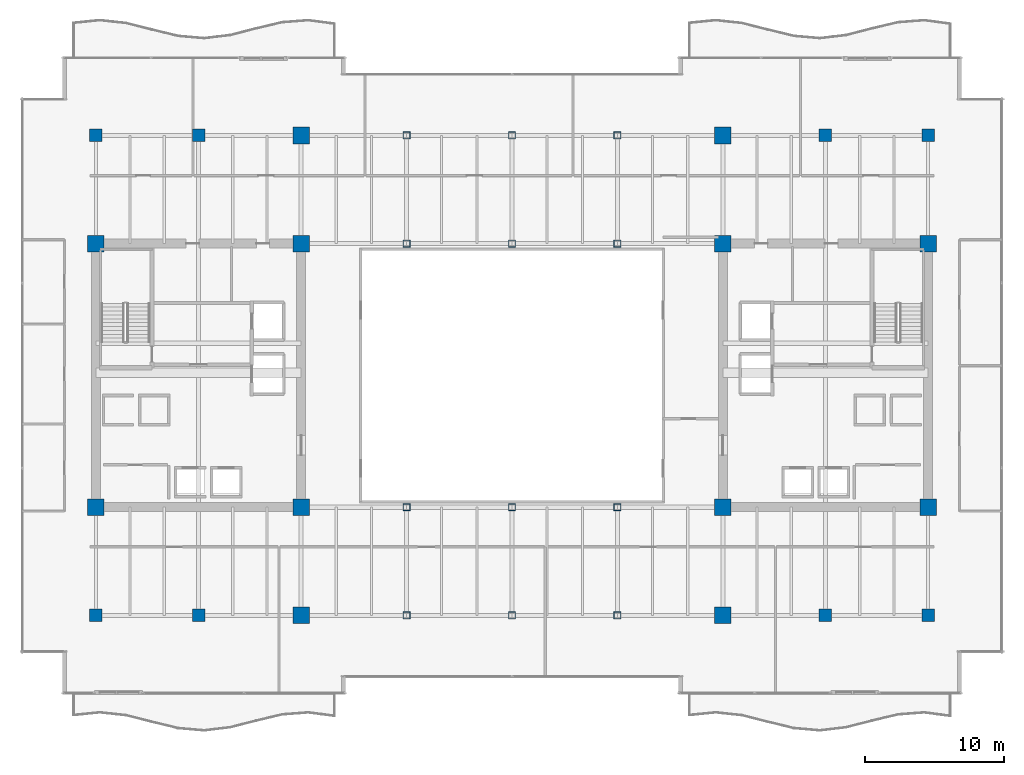
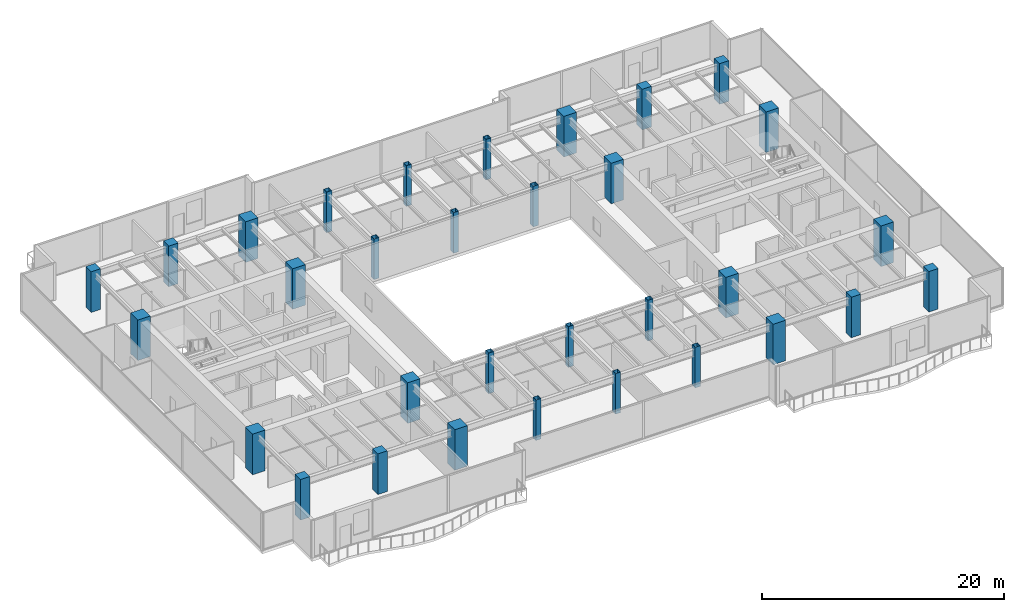
# One storey, part 1 of 30: 32 columns.
"""IFC4 building model written with IfcOpenShell, lengths in metres."""

import ifcopenshell
import ifcopenshell.guid

model = None  # the IFC model being written
_history = None  # IfcOwnerHistory: only IFC2X3 demands one
_inside = {}  # id of a spatial element -> (the spatial element, [elements in it])
_under = {}  # id of a project, library or spatial element -> (it, [spatial elements below it])
_declared = {}  # id of a project -> (the project, [libraries it declares])
_typed = {}  # id of a type object -> (the type object, [elements of that type])
_made_of = {}  # id of a material, layer set ... -> (it, [elements and type objects made of it])


def new_model(schema):
    """Start an empty IFC model of exactly this schema.

    Asked for "IFC4X3", IfcOpenShell would pick the latest addendum, in which some entities
    have other attributes; the version numbers below select the first issue.
    IFC2X3 requires an IfcOwnerHistory on every rooted entity: one is made here for all.
    """
    global model, _history
    if schema == "IFC4X3":
        model = ifcopenshell.file(schema_version=(4, 3, 0, 0))
    else:
        model = ifcopenshell.file(schema=schema)
    _inside.clear()
    _under.clear()
    _declared.clear()
    _typed.clear()
    _made_of.clear()
    _history = None
    if model.schema == "IFC2X3":
        org = make("IfcOrganization", Name="unknown")
        user = make(
            "IfcPersonAndOrganization",
            ThePerson=make("IfcPerson", FamilyName="unknown"),
            TheOrganization=org,
        )
        app = make(
            "IfcApplication",
            ApplicationDeveloper=org,
            Version="unknown",
            ApplicationFullName="unknown",
            ApplicationIdentifier="unknown",
        )
        _history = make(
            "IfcOwnerHistory",
            OwningUser=user,
            OwningApplication=app,
            ChangeAction="ADDED",
            CreationDate=0,
        )
    return model


def make(cls, **values):
    """One entity of the class cls with the attributes given. An attribute that is None is left unset."""
    return model.create_entity(
        cls, **{name: value for name, value in values.items() if value is not None}
    )


def rooted(cls, **values):
    """An entity with a GlobalId (a new one), such as an element, a storey or a relation."""
    return make(cls, GlobalId=ifcopenshell.guid.new(), OwnerHistory=_history, **values)


def si_unit(unit_type, name, prefix=None):
    """IfcSIUnit, for example si_unit("LENGTHUNIT", "METRE", prefix="MILLI")."""
    return make("IfcSIUnit", UnitType=unit_type, Prefix=prefix, Name=name)


def assignment(units):
    """IfcUnitAssignment: the units of a project."""
    return None if units is None else make("IfcUnitAssignment", Units=units)


def point(xyz):
    """IfcCartesianPoint."""
    return None if xyz is None else make("IfcCartesianPoint", Coordinates=xyz)


def direction(xyz):
    """IfcDirection."""
    return None if xyz is None else make("IfcDirection", DirectionRatios=xyz)


def frame(location, z_axis=None, x_axis=None):
    """IfcAxis2Placement3D, a coordinate frame: its origin and axes. An axis left out is left unset."""
    return make(
        "IfcAxis2Placement3D",
        Location=point(location),
        Axis=direction(z_axis),
        RefDirection=direction(x_axis),
    )


def frame_2d(location, x_axis=None):
    """IfcAxis2Placement2D, a coordinate frame in the plane: its origin and x axis."""
    return make(
        "IfcAxis2Placement2D", Location=point(location), RefDirection=direction(x_axis)
    )


def origin():
    """The frame at (0, 0, 0) with its axes left unset."""
    return frame((0.0, 0.0, 0.0))


def origin_2d():
    """The frame at (0, 0) in the plane with its x axis left unset."""
    return frame_2d((0.0, 0.0))


def place(relative_to, where):
    """IfcLocalPlacement: puts the frame where relative to a parent placement (None: the world)."""
    return make(
        "IfcLocalPlacement", PlacementRelTo=relative_to, RelativePlacement=where
    )


def context(
    kind, dimensions, precision=None, world=None, true_north=None, identifier=None
):
    """IfcGeometricRepresentationContext, for example the 3D "Model" context."""
    return make(
        "IfcGeometricRepresentationContext",
        ContextIdentifier=identifier,
        ContextType=kind,
        CoordinateSpaceDimension=dimensions,
        Precision=precision,
        WorldCoordinateSystem=world,
        TrueNorth=true_north,
    )


def subcontext(parent, identifier, kind, view, scale=None):
    """IfcGeometricRepresentationSubContext, for example "Body" below "Model"."""
    return make(
        "IfcGeometricRepresentationSubContext",
        ContextIdentifier=identifier,
        ContextType=kind,
        ParentContext=parent,
        TargetScale=scale,
        TargetView=view,
    )


def project(units=None, contexts=None):
    """IfcProject with its units and contexts."""
    return rooted(
        "IfcProject",
        Name="project",
        RepresentationContexts=contexts,
        UnitsInContext=assignment(units),
    )


def spatial(cls, under=None, at=None, **own):
    """A site, building, storey or space (cls), placed at a placement, below another one or the project."""
    s = rooted(cls, ObjectPlacement=at, **own)
    if under is not None:
        _under.setdefault(under.id(), (under, []))[1].append(s)
    return s


def profile(cls, at=None, kind="AREA", **sizes):
    """A parametric profile (cls). Its sizes go by their IFC names, for example OverallWidth=200.0."""
    return make(cls, ProfileType=kind, Position=at, **sizes)


def rectangle(**sizes):
    """IfcRectangleProfileDef."""
    return profile("IfcRectangleProfileDef", **sizes)


def hollow_rectangle(**sizes):
    """IfcRectangleHollowProfileDef."""
    return profile("IfcRectangleHollowProfileDef", **sizes)


def extrude(swept, where, along, depth):
    """IfcExtrudedAreaSolid: the profile swept, set in the frame where, extruded along a direction by depth."""
    return make(
        "IfcExtrudedAreaSolid",
        SweptArea=swept,
        Position=where,
        ExtrudedDirection=direction(along),
        Depth=depth,
    )


def shape(context_of_items, identifier, shape_type, items):
    """IfcShapeRepresentation: the items that make up one representation, for example the "Body"."""
    return make(
        "IfcShapeRepresentation",
        ContextOfItems=context_of_items,
        RepresentationIdentifier=identifier,
        RepresentationType=shape_type,
        Items=items,
    )


def source(mapping_origin, context_of_items, identifier, shape_type, items):
    """IfcRepresentationMap: a shape defined once, which mapped items show again and again."""
    return make(
        "IfcRepresentationMap",
        MappingOrigin=mapping_origin,
        MappedRepresentation=shape(context_of_items, identifier, shape_type, items),
    )


def transform(
    local_origin,
    x_axis=None,
    y_axis=None,
    z_axis=None,
    scale=None,
    scale2=None,
    scale3=None,
    uniform=True,
):
    """IfcCartesianTransformationOperator3D, or its non-uniform kind. x_axis, y_axis, z_axis: its Axis1, 2, 3."""
    if uniform:
        return make(
            "IfcCartesianTransformationOperator3D",
            Axis1=direction(x_axis),
            Axis2=direction(y_axis),
            LocalOrigin=point(local_origin),
            Scale=scale,
            Axis3=direction(z_axis),
        )
    return make(
        "IfcCartesianTransformationOperator3DnonUniform",
        Axis1=direction(x_axis),
        Axis2=direction(y_axis),
        LocalOrigin=point(local_origin),
        Scale=scale,
        Axis3=direction(z_axis),
        Scale2=scale2,
        Scale3=scale3,
    )


def mapped(mapping_source, mapping_target):
    """IfcMappedItem: shows the shape of a source again, moved by a transform."""
    return make(
        "IfcMappedItem", MappingSource=mapping_source, MappingTarget=mapping_target
    )


def material(Name=None, Category=None):
    """IfcMaterial."""
    return make("IfcMaterial", Name=Name, Category=Category)


def material_profile(
    of_material, cross_section, Name=None, Category=None, Priority=None
):
    """IfcMaterialProfile: a cross section and its material."""
    return make(
        "IfcMaterialProfile",
        Name=Name,
        Material=of_material,
        Profile=cross_section,
        Priority=Priority,
        Category=Category,
    )


def profile_set(profiles, Name=None, composite=None):
    """IfcMaterialProfileSet."""
    return make(
        "IfcMaterialProfileSet",
        Name=Name,
        MaterialProfiles=profiles,
        CompositeProfile=composite,
    )


def made_of(thing, what):
    """Note that an element or type object is made of a material, layer set ...; save() writes the relation."""
    if what is not None:
        _made_of.setdefault(what.id(), (what, []))[1].append(thing)
    return thing


def type_object(cls, material=None, **own):
    """A type object (cls), such as IfcWallType, which elements share."""
    return made_of(rooted(cls, **own), material)


def type_shapes(of_type, sources):
    """Give a type object the sources (RepresentationMaps) that its elements show as mapped items."""
    of_type.RepresentationMaps = sources


def element(
    cls,
    number,
    at=None,
    inside=None,
    cuts=None,
    type_object=None,
    material=None,
    context=None,
    identifier="Body",
    shape_type=None,
    held_by="IfcProductDefinitionShape",
    body=None,
    shapes=None,
    **own,
):
    """One element of the class cls, such as IfcWall. Its Tag is "e" and its number.

    at: its placement. inside: the storey or other place that contains it. cuts: it is an
    opening in that element (IfcRelVoidsElement). A single representation is given by context,
    identifier, shape_type and body (its items); several are given by shapes. held_by: the class
    of the entity that holds the representations. save() writes the other relations.
    """
    e = rooted(cls, Tag="e%d" % number, ObjectPlacement=at, **own)
    if body is not None:
        shapes = [shape(context, identifier, shape_type, body)]
    if shapes is not None:
        e.Representation = make(held_by, Representations=shapes)
    if inside is not None:
        _inside.setdefault(inside.id(), (inside, []))[1].append(e)
    if cuts is not None:
        rooted(
            "IfcRelVoidsElement", RelatingBuildingElement=cuts, RelatedOpeningElement=e
        )
    if type_object is not None:
        _typed.setdefault(type_object.id(), (type_object, []))[1].append(e)
    return made_of(e, material)


def aggregate(whole, parts):
    """IfcRelAggregates: a whole, such as a stair, and the parts it consists of."""
    return rooted("IfcRelAggregates", RelatingObject=whole, RelatedObjects=parts)


def save(model, path):
    """Write the relations noted so far, then the file.

    IfcRelAggregates (storeys below a building ...), IfcRelContainedInSpatialStructure (elements
    in a storey), IfcRelDefinesByType, IfcRelAssociatesMaterial and IfcRelDeclares: one each for
    every whole, place, type object, material and project.
    """
    for whole, parts in _under.values():
        aggregate(whole, parts)
    for where, things in _inside.values():
        rooted(
            "IfcRelContainedInSpatialStructure",
            RelatedElements=things,
            RelatingStructure=where,
        )
    for kind, things in _typed.values():
        rooted("IfcRelDefinesByType", RelatedObjects=things, RelatingType=kind)
    for what, things in _made_of.values():
        rooted("IfcRelAssociatesMaterial", RelatedObjects=things, RelatingMaterial=what)
    for by, libraries in _declared.values():
        rooted("IfcRelDeclares", RelatingContext=by, RelatedDefinitions=libraries)
    model.write(path)


model = new_model("IFC4")

# Units and contexts
model_context = context("Model", 3, precision=1e-05, world=origin(), true_north=direction((0.0, 1.0)))
body_context = subcontext(model_context, "Body", "Model", "MODEL_VIEW")
ifc_project = project(units=[si_unit("LENGTHUNIT", "METRE"), si_unit("AREAUNIT", "SQUARE_METRE"), si_unit("VOLUMEUNIT", "CUBIC_METRE"), si_unit("PLANEANGLEUNIT", "RADIAN"), si_unit("MASSUNIT", "GRAM", prefix="KILO")], contexts=[model_context])

# Site, building, storey
site_placement = place(None, origin())
site = spatial("IfcSite", under=ifc_project, at=site_placement, CompositionType="ELEMENT")
building_placement = place(site_placement, origin())
building = spatial("IfcBuilding", under=site, at=building_placement, Name="Haelvirn Gate Laboratories", CompositionType="ELEMENT")
storey_placement = place(building_placement, frame((0.0, 0.0, 113.300048828125)))
storey = spatial("IfcBuildingStorey", under=building, at=storey_placement, Name="L27", CompositionType="ELEMENT", Elevation=113.300048828125)

# Columns
ifc_material_1 = material(Name="Concrete C50/60", Category="concrete")
ifc_material_profile_1 = material_profile(ifc_material_1, rectangle(XDim=0.89990234375, YDim=0.89990234375, at=origin_2d()), Name="RC-900x900")
ifc_profile_set_1 = profile_set([ifc_material_profile_1], Name="Concrete C50/60")
column_type_1 = type_object("IfcColumnType", Name="COL-RC-900", PredefinedType="COLUMN", material=ifc_profile_set_1)
shared_shape_1 = source(origin(), body_context, "Body", "SweptSolid", [
    extrude(rectangle(XDim=0.89990234375, YDim=0.89990234375, at=origin_2d()), origin(), (0.0, 0.0, 1.0), 4.099853515625),
])
type_shapes(column_type_1, [shared_shape_1])
for number, where, z_axis, x_axis, name in (
    (1, (14.800048828125, 7.0, 0.0), (0.0, 0.0, 1.0), (1.0, 0.0, 0.0), "L27 Column 3B"),
    (2, (14.800048828125, 41.60009765625, 0.0), (0.0, 0.0, 1.0), (1.0, 0.0, 0.0), "L27 Column 3G"),
    (3, (60.0, 7.0, 0.0), (0.0, 0.0, 1.0), (1.0, 0.0, 0.0), "L27 Column 9B"),
    (4, (60.0, 41.60009765625, 0.0), (0.0, 0.0, 1.0), (1.0, 0.0, 0.0), "L27 Column 9G"),
    (5, (7.39990234375, 7.0, 0.0), (0.0, 0.0, 1.0), (1.0, 0.0, 0.0), "L27 Column 2B"),
    (6, (7.39990234375, 41.60009765625, 0.0), (0.0, 0.0, 1.0), (1.0, 0.0, 0.0), "L27 Column 2G"),
    (7, (67.39990234375, 7.0, 0.0), (0.0, 0.0, 1.0), (1.0, 0.0, 0.0), "L27 Column 10B"),
    (8, (67.39990234375, 41.60009765625, 0.0), (0.0, 0.0, 1.0), (1.0, 0.0, 0.0), "L27 Column 10G"),
):
    element("IfcColumn", number, at=place(storey_placement, frame(where, z_axis=z_axis, x_axis=x_axis)), inside=storey, type_object=column_type_1, Name=name, PredefinedType="COLUMN", context=body_context, shape_type="MappedRepresentation", body=[
        mapped(shared_shape_1, transform((0.0, 0.0, 0.0), scale=1.0)),
    ])
ifc_material_2 = material(Name="Concrete C60/75", Category="concrete")
ifc_material_profile_2 = material_profile(ifc_material_2, rectangle(XDim=1.199951171875, YDim=1.199951171875, at=origin_2d()), Name="SRC-1200x1200")
ifc_profile_set_2 = profile_set([ifc_material_profile_2], Name="Concrete C60/75")
column_type_2 = type_object("IfcColumnType", Name="COL-SRC-1200", PredefinedType="COLUMN", material=ifc_profile_set_2)
shared_shape_2 = source(origin(), body_context, "Body", "SweptSolid", [
    extrude(rectangle(XDim=1.199951171875, YDim=1.199951171875, at=origin_2d()), origin(), (0.0, 0.0, 1.0), 4.099853515625),
])
type_shapes(column_type_2, [shared_shape_2])
for number, where, z_axis, x_axis, name in (
    (9, (22.199951171875, 7.0, 0.0), (0.0, 0.0, 1.0), (1.0, 0.0, 0.0), "L27 Column 4B"),
    (10, (7.39990234375, 14.800048828125, 0.0), (0.0, 0.0, 1.0), (1.0, 0.0, 0.0), "L27 Column 2C"),
    (11, (22.199951171875, 14.800048828125, 0.0), (0.0, 0.0, 1.0), (1.0, 0.0, 0.0), "L27 Column 4C"),
    (12, (7.39990234375, 33.800048828125, 0.0), (0.0, 0.0, 1.0), (1.0, 0.0, 0.0), "L27 Column 2F"),
    (13, (22.199951171875, 33.800048828125, 0.0), (0.0, 0.0, 1.0), (1.0, 0.0, 0.0), "L27 Column 4F"),
    (14, (22.199951171875, 41.60009765625, 0.0), (0.0, 0.0, 1.0), (1.0, 0.0, 0.0), "L27 Column 4G"),
    (15, (52.60009765625, 7.0, 0.0), (0.0, 0.0, 1.0), (1.0, 0.0, 0.0), "L27 Column 8B"),
    (16, (52.60009765625, 14.800048828125, 0.0), (0.0, 0.0, 1.0), (1.0, 0.0, 0.0), "L27 Column 8C"),
    (17, (67.39990234375, 14.800048828125, 0.0), (0.0, 0.0, 1.0), (1.0, 0.0, 0.0), "L27 Column 10C"),
    (18, (52.60009765625, 33.800048828125, 0.0), (0.0, 0.0, 1.0), (1.0, 0.0, 0.0), "L27 Column 8F"),
    (19, (67.39990234375, 33.800048828125, 0.0), (0.0, 0.0, 1.0), (1.0, 0.0, 0.0), "L27 Column 10F"),
    (20, (52.60009765625, 41.60009765625, 0.0), (0.0, 0.0, 1.0), (1.0, 0.0, 0.0), "L27 Column 8G"),
):
    element("IfcColumn", number, at=place(storey_placement, frame(where, z_axis=z_axis, x_axis=x_axis)), inside=storey, type_object=column_type_2, Name=name, PredefinedType="COLUMN", context=body_context, shape_type="MappedRepresentation", body=[
        mapped(shared_shape_2, transform((0.0, 0.0, 0.0), scale=1.0)),
    ])
ifc_material_3 = material(Name="Steel SM355", Category="steel")
ifc_material_profile_3 = material_profile(ifc_material_3, hollow_rectangle(XDim=0.5, YDim=0.5, WallThickness=0.02197265625, at=origin_2d()), Name="BOX-500x500x22")
ifc_profile_set_3 = profile_set([ifc_material_profile_3], Name="Steel SM355")
column_type_3 = type_object("IfcColumnType", Name="COL-BOX-500", PredefinedType="COLUMN", material=ifc_profile_set_3)
shared_shape_3 = source(origin(), body_context, "Body", "SweptSolid", [
    extrude(hollow_rectangle(XDim=0.5, YDim=0.5, WallThickness=0.02197265625, at=origin_2d()), origin(), (0.0, 0.0, 1.0), 4.099853515625),
])
type_shapes(column_type_3, [shared_shape_3])
for number, where, z_axis, x_axis, name in (
    (21, (29.800048828125, 7.0, 0.0), (0.0, 0.0, 1.0), (1.0, 0.0, 0.0), "L27 Column 5B"),
    (22, (29.800048828125, 14.800048828125, 0.0), (0.0, 0.0, 1.0), (1.0, 0.0, 0.0), "L27 Column 5C"),
    (23, (29.800048828125, 33.800048828125, 0.0), (0.0, 0.0, 1.0), (1.0, 0.0, 0.0), "L27 Column 5F"),
    (24, (29.800048828125, 41.60009765625, 0.0), (0.0, 0.0, 1.0), (1.0, 0.0, 0.0), "L27 Column 5G"),
    (25, (37.39990234375, 7.0, 0.0), (0.0, 0.0, 1.0), (1.0, 0.0, 0.0), "L27 Column 6B"),
    (26, (37.39990234375, 14.800048828125, 0.0), (0.0, 0.0, 1.0), (1.0, 0.0, 0.0), "L27 Column 6C"),
    (27, (37.39990234375, 33.800048828125, 0.0), (0.0, 0.0, 1.0), (1.0, 0.0, 0.0), "L27 Column 6F"),
    (28, (37.39990234375, 41.60009765625, 0.0), (0.0, 0.0, 1.0), (1.0, 0.0, 0.0), "L27 Column 6G"),
    (29, (45.0, 7.0, 0.0), (0.0, 0.0, 1.0), (1.0, 0.0, 0.0), "L27 Column 7B"),
    (30, (45.0, 14.800048828125, 0.0), (0.0, 0.0, 1.0), (1.0, 0.0, 0.0), "L27 Column 7C"),
    (31, (45.0, 33.800048828125, 0.0), (0.0, 0.0, 1.0), (1.0, 0.0, 0.0), "L27 Column 7F"),
    (32, (45.0, 41.60009765625, 0.0), (0.0, 0.0, 1.0), (1.0, 0.0, 0.0), "L27 Column 7G"),
):
    element("IfcColumn", number, at=place(storey_placement, frame(where, z_axis=z_axis, x_axis=x_axis)), inside=storey, type_object=column_type_3, Name=name, PredefinedType="COLUMN", context=body_context, shape_type="MappedRepresentation", body=[
        mapped(shared_shape_3, transform((0.0, 0.0, 0.0), scale=1.0)),
    ])

save(model, "model.ifc")
